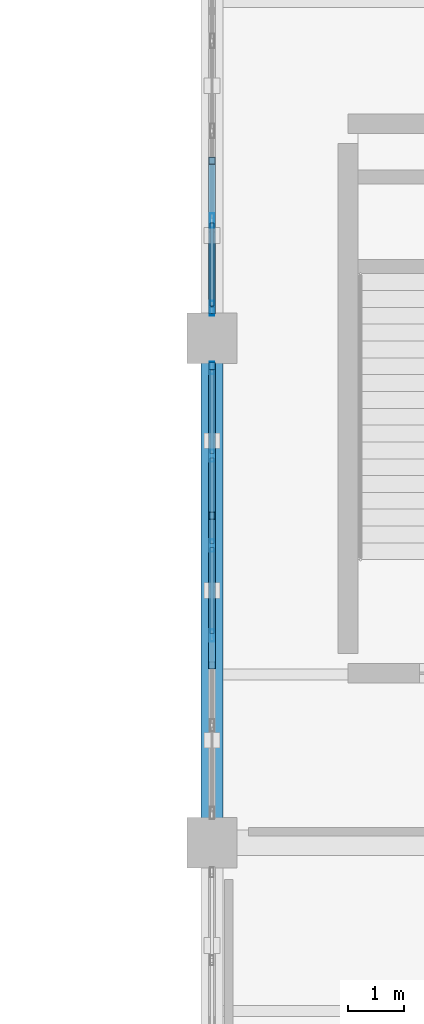
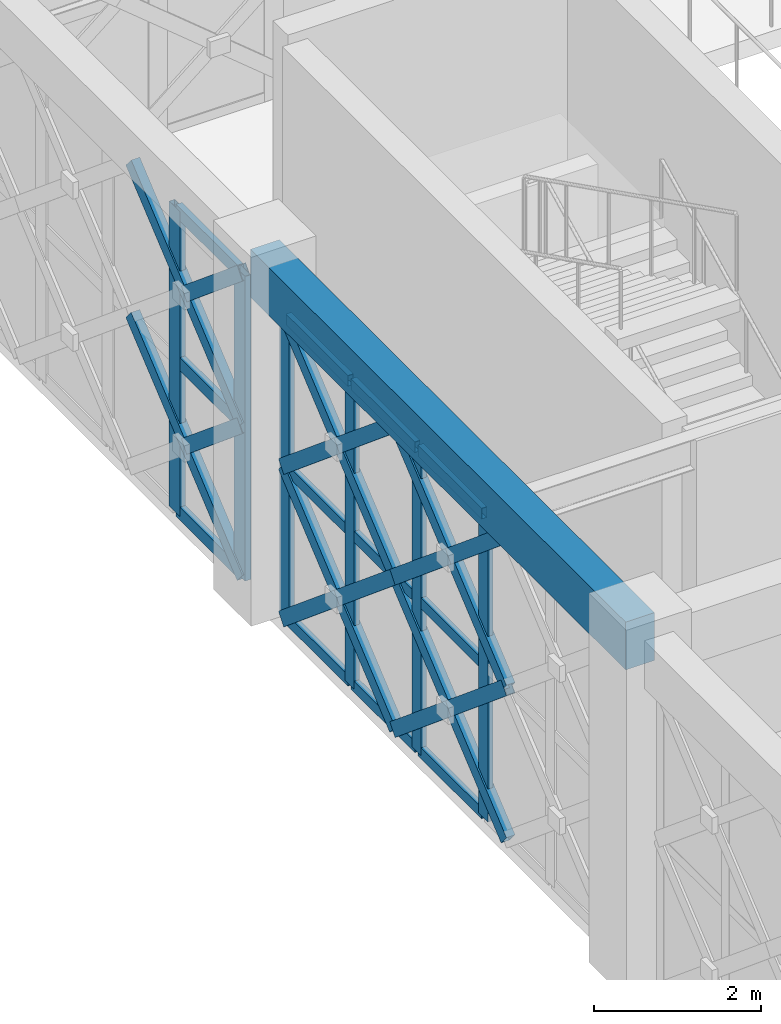
# One storey, part 56 of 155: 34 members, 1 beam, 2 elements without a shape of their own.
"""IFC4 building model written with IfcOpenShell, lengths in metres."""

from ifc_helpers import new_model, si_unit, direction, frame, origin, origin_2d, place, context, subcontext, project, spatial, rectangle, hollow_rectangle, extrude, material, material_profile, profile_set, type_object, element, aggregate, save


model = new_model("IFC4")

# Units and contexts
model_context = context("Model", 3, precision=1e-05, world=origin(), true_north=direction((0.0, 1.0)))
body_context = subcontext(model_context, "Body", "Model", "MODEL_VIEW")
ifc_project = project(units=[si_unit("LENGTHUNIT", "METRE"), si_unit("AREAUNIT", "SQUARE_METRE"), si_unit("VOLUMEUNIT", "CUBIC_METRE"), si_unit("PLANEANGLEUNIT", "RADIAN"), si_unit("MASSUNIT", "GRAM", prefix="KILO")], contexts=[model_context])

# Site, building, storey
site_placement = place(None, origin())
site = spatial("IfcSite", under=ifc_project, at=site_placement, CompositionType="ELEMENT")
building_placement = place(site_placement, origin())
building = spatial("IfcBuilding", under=site, at=building_placement, Name="Haizhuo Lancet Aquarium", CompositionType="ELEMENT")
storey_placement = place(building_placement, frame((0.0, 0.0, 10.800048828125)))
storey = spatial("IfcBuildingStorey", under=building, at=storey_placement, Name="L02", CompositionType="ELEMENT", Elevation=10.800048828125)

# Beam
ifc_material_1 = material(Name="Concrete C40/50", Category="concrete")
ifc_material_profile_1 = material_profile(ifc_material_1, rectangle(XDim=0.39990234375, YDim=0.699951171875, at=origin_2d()), Name="RC-BM 400x700")
ifc_profile_set_1 = profile_set([ifc_material_profile_1], Name="Concrete C40/50")
beam_type = type_object("IfcBeamType", Name="BM-RC-400x700", PredefinedType="BEAM", material=ifc_profile_set_1)
beam_placement = place(storey_placement, frame((27.0, -27.0, 4.81005859375), z_axis=(0.0, 1.0, 0.0), x_axis=(-1.0, 0.0, 0.0)))
element("IfcBeam", 1, at=beam_placement, inside=storey, type_object=beam_type, Name="L02 V3 primary girder BM-L02-V3-003", PredefinedType="BEAM", context=body_context, shape_type="SweptSolid", body=[
    extrude(rectangle(XDim=0.39990234375, YDim=0.699951171875, at=origin_2d()), origin(), (0.0, 0.0, 1.0), 9.0),
])

# Curtain wall, members
ifc_material_2 = material(Name="Aluminium 6063-T6", Category="aluminium")
curtain_wall_type = type_object("IfcCurtainWallType", Name="CWO-8010x4460", PredefinedType="NOTDEFINED", material=ifc_material_2)
curtain_wall_1_placement = place(storey_placement, origin())
curtain_wall_1 = element("IfcCurtainWall", 2, at=curtain_wall_1_placement, inside=storey, type_object=curtain_wall_type, Name="L02 curtain wall CW-V3-L02-065", PredefinedType="NOTDEFINED")
ifc_material_profile_2 = material_profile(ifc_material_2, hollow_rectangle(XDim=0.074951171875, YDim=0.219970703125, WallThickness=0.0048828125, at=origin_2d()), Name="ALU-M 75x220x5")
ifc_profile_set_2 = profile_set([ifc_material_profile_2], Name="Aluminium 6063-T6")
member_type_1 = type_object("IfcMemberType", Name="CW-MUL-2", PredefinedType="MULLION", material=ifc_profile_set_2)
member_1_placement = place(storey_placement, frame((27.0, -23.301025390625, 0.0), z_axis=(0.0, 0.0, 1.0), x_axis=(-1.0, 0.0, 0.0)))
member_1 = element("IfcMember", 3, at=member_1_placement, type_object=member_type_1, Name="CWO-80x44 mullion 3", PredefinedType="MULLION", context=body_context, shape_type="SweptSolid", body=[
    extrude(hollow_rectangle(XDim=0.074951171875, YDim=0.219970703125, WallThickness=0.0048828125, at=origin_2d()), origin(), (0.0, 0.0, 1.0), 4.4599609375),
])
member_2_placement = place(storey_placement, frame((27.0, -21.698974609375, 0.0), z_axis=(0.0, 0.0, 1.0), x_axis=(-1.0, 0.0, 0.0)))
member_2 = element("IfcMember", 4, at=member_2_placement, type_object=member_type_1, Name="CWO-80x44 mullion 4", PredefinedType="MULLION", context=body_context, shape_type="SweptSolid", body=[
    extrude(hollow_rectangle(XDim=0.074951171875, YDim=0.219970703125, WallThickness=0.0048828125, at=origin_2d()), origin(), (0.0, 0.0, 1.0), 4.4599609375),
])
member_3_placement = place(storey_placement, frame((27.0, -20.096923828125, 0.0), z_axis=(0.0, 0.0, 1.0), x_axis=(-1.0, 0.0, 0.0)))
member_3 = element("IfcMember", 5, at=member_3_placement, type_object=member_type_1, Name="CWO-80x44 mullion 5", PredefinedType="MULLION", context=body_context, shape_type="SweptSolid", body=[
    extrude(hollow_rectangle(XDim=0.074951171875, YDim=0.219970703125, WallThickness=0.0048828125, at=origin_2d()), origin(), (0.0, 0.0, 1.0), 4.4599609375),
])
member_4_placement = place(storey_placement, frame((27.0, -18.531982421875, 0.0), z_axis=(0.0, 0.0, 1.0), x_axis=(-1.0, 0.0, 0.0)))
member_4 = element("IfcMember", 6, at=member_4_placement, type_object=member_type_1, Name="CWO-80x44 mullion 6", PredefinedType="MULLION", context=body_context, shape_type="SweptSolid", body=[
    extrude(hollow_rectangle(XDim=0.074951171875, YDim=0.219970703125, WallThickness=0.0048828125, at=origin_2d()), origin(), (0.0, 0.0, 1.0), 4.4599609375),
])

curtain_wall_2_placement = place(storey_placement, origin())
curtain_wall_2 = element("IfcCurtainWall", 7, at=curtain_wall_2_placement, inside=storey, type_object=curtain_wall_type, Name="L02 curtain wall CW-V3-L02-066", PredefinedType="NOTDEFINED")
ifc_material_profile_3 = material_profile(ifc_material_2, hollow_rectangle(XDim=0.080078125, YDim=0.260009765625, WallThickness=0.0048828125, at=origin_2d()), Name="ALU-M 80x260x5")
ifc_profile_set_3 = profile_set([ifc_material_profile_3], Name="Aluminium 6063-T6")
member_type_2 = type_object("IfcMemberType", Name="CW-MUL-3", PredefinedType="MULLION", material=ifc_profile_set_3)
member_5_placement = place(storey_placement, frame((27.0, -17.465087890625, 0.0), z_axis=(0.0, 0.0, 1.0), x_axis=(-1.0, 0.0, 0.0)))
member_5 = element("IfcMember", 8, at=member_5_placement, type_object=member_type_2, Name="CWO-80x44 mullion 1", PredefinedType="MULLION", context=body_context, shape_type="SweptSolid", body=[
    extrude(hollow_rectangle(XDim=0.080078125, YDim=0.260009765625, WallThickness=0.0048828125, at=origin_2d()), origin(), (0.0, 0.0, 1.0), 4.4599609375),
])
member_6_placement = place(storey_placement, frame((27.0, -15.903076171875, 0.0), z_axis=(0.0, 0.0, 1.0), x_axis=(-1.0, 0.0, 0.0)))
member_6 = element("IfcMember", 9, at=member_6_placement, type_object=member_type_2, Name="CWO-80x44 mullion 2", PredefinedType="MULLION", context=body_context, shape_type="SweptSolid", body=[
    extrude(hollow_rectangle(XDim=0.080078125, YDim=0.260009765625, WallThickness=0.0048828125, at=origin_2d()), origin(), (0.0, 0.0, 1.0), 4.4599609375),
])

# Member
ifc_material_profile_4 = material_profile(ifc_material_2, hollow_rectangle(XDim=0.074951171875, YDim=0.159912109375, WallThickness=0.00390625, at=origin_2d()), Name="ALU-T 75x160x4")
ifc_profile_set_4 = profile_set([ifc_material_profile_4], Name="Aluminium 6063-T6")
member_type_3 = type_object("IfcMemberType", Name="CW-TRN-2", PredefinedType="NOTDEFINED", material=ifc_profile_set_4)
member_7_placement = place(storey_placement, frame((27.0, -23.263916015625, 0.037841796875), z_axis=(0.0, 1.0, 0.0), x_axis=(-1.0, 0.0, 0.0)))
member_7 = element("IfcMember", 10, at=member_7_placement, type_object=member_type_3, Name="CWO-80x44 transom 3.1", ObjectType="TRANSOM", PredefinedType="USERDEFINED", context=body_context, shape_type="SweptSolid", body=[
    extrude(hollow_rectangle(XDim=0.074951171875, YDim=0.159912109375, WallThickness=0.00390625, at=origin_2d()), origin(), (0.0, 0.0, 1.0), 1.52783203125),
])

member_8_placement = place(storey_placement, frame((27.0, -23.263916015625, 2.22998046875), z_axis=(0.0, 1.0, 0.0), x_axis=(-1.0, 0.0, 0.0)))
member_8 = element("IfcMember", 11, at=member_8_placement, type_object=member_type_3, Name="CWO-80x44 transom 3.2", ObjectType="TRANSOM", PredefinedType="USERDEFINED", context=body_context, shape_type="SweptSolid", body=[
    extrude(hollow_rectangle(XDim=0.074951171875, YDim=0.159912109375, WallThickness=0.00390625, at=origin_2d()), origin(), (0.0, 0.0, 1.0), 1.52783203125),
])

member_9_placement = place(storey_placement, frame((27.0, -23.263916015625, 4.4228515625), z_axis=(0.0, 1.0, 0.0), x_axis=(-1.0, 0.0, 0.0)))
member_9 = element("IfcMember", 12, at=member_9_placement, type_object=member_type_3, Name="CWO-80x44 transom 3.3", ObjectType="TRANSOM", PredefinedType="USERDEFINED", context=body_context, shape_type="SweptSolid", body=[
    extrude(hollow_rectangle(XDim=0.074951171875, YDim=0.159912109375, WallThickness=0.00390625, at=origin_2d()), origin(), (0.0, 0.0, 1.0), 1.52783203125),
])

member_10_placement = place(storey_placement, frame((27.0, -21.662109375, 0.037841796875), z_axis=(0.0, 1.0, 0.0), x_axis=(-1.0, 0.0, 0.0)))
member_10 = element("IfcMember", 13, at=member_10_placement, type_object=member_type_3, Name="CWO-80x44 transom 4.1", ObjectType="TRANSOM", PredefinedType="USERDEFINED", context=body_context, shape_type="SweptSolid", body=[
    extrude(hollow_rectangle(XDim=0.074951171875, YDim=0.159912109375, WallThickness=0.00390625, at=origin_2d()), origin(), (0.0, 0.0, 1.0), 1.528076171875),
])

member_11_placement = place(storey_placement, frame((27.0, -21.662109375, 2.22998046875), z_axis=(0.0, 1.0, 0.0), x_axis=(-1.0, 0.0, 0.0)))
member_11 = element("IfcMember", 14, at=member_11_placement, type_object=member_type_3, Name="CWO-80x44 transom 4.2", ObjectType="TRANSOM", PredefinedType="USERDEFINED", context=body_context, shape_type="SweptSolid", body=[
    extrude(hollow_rectangle(XDim=0.074951171875, YDim=0.159912109375, WallThickness=0.00390625, at=origin_2d()), origin(), (0.0, 0.0, 1.0), 1.528076171875),
])

member_12_placement = place(storey_placement, frame((27.0, -21.662109375, 4.4228515625), z_axis=(0.0, 1.0, 0.0), x_axis=(-1.0, 0.0, 0.0)))
member_12 = element("IfcMember", 15, at=member_12_placement, type_object=member_type_3, Name="CWO-80x44 transom 4.3", ObjectType="TRANSOM", PredefinedType="USERDEFINED", context=body_context, shape_type="SweptSolid", body=[
    extrude(hollow_rectangle(XDim=0.074951171875, YDim=0.159912109375, WallThickness=0.00390625, at=origin_2d()), origin(), (0.0, 0.0, 1.0), 1.528076171875),
])

member_13_placement = place(storey_placement, frame((27.0, -20.05908203125, 0.037841796875), z_axis=(0.0, 1.0, 0.0), x_axis=(-1.0, 0.0, 0.0)))
member_13 = element("IfcMember", 16, at=member_13_placement, type_object=member_type_3, Name="CWO-80x44 transom 5.1", ObjectType="TRANSOM", PredefinedType="USERDEFINED", context=body_context, shape_type="SweptSolid", body=[
    extrude(hollow_rectangle(XDim=0.074951171875, YDim=0.159912109375, WallThickness=0.00390625, at=origin_2d()), origin(), (0.0, 0.0, 1.0), 1.489013671875),
])

member_14_placement = place(storey_placement, frame((27.0, -20.05908203125, 2.22998046875), z_axis=(0.0, 1.0, 0.0), x_axis=(-1.0, 0.0, 0.0)))
member_14 = element("IfcMember", 17, at=member_14_placement, type_object=member_type_3, Name="CWO-80x44 transom 5.2", ObjectType="TRANSOM", PredefinedType="USERDEFINED", context=body_context, shape_type="SweptSolid", body=[
    extrude(hollow_rectangle(XDim=0.074951171875, YDim=0.159912109375, WallThickness=0.00390625, at=origin_2d()), origin(), (0.0, 0.0, 1.0), 1.489013671875),
])

member_15_placement = place(storey_placement, frame((27.0, -20.05908203125, 4.4228515625), z_axis=(0.0, 1.0, 0.0), x_axis=(-1.0, 0.0, 0.0)))
member_15 = element("IfcMember", 18, at=member_15_placement, type_object=member_type_3, Name="CWO-80x44 transom 5.3", ObjectType="TRANSOM", PredefinedType="USERDEFINED", context=body_context, shape_type="SweptSolid", body=[
    extrude(hollow_rectangle(XDim=0.074951171875, YDim=0.159912109375, WallThickness=0.00390625, at=origin_2d()), origin(), (0.0, 0.0, 1.0), 1.489013671875),
])

aggregate(curtain_wall_1, [member_1, member_2, member_3, member_4, member_7, member_8, member_9, member_10, member_11, member_12, member_13, member_14, member_15])

ifc_material_profile_5 = material_profile(ifc_material_2, hollow_rectangle(XDim=0.080078125, YDim=0.18994140625, WallThickness=0.0048828125, at=origin_2d()), Name="ALU-T 80x190x5")
ifc_profile_set_5 = profile_set([ifc_material_profile_5], Name="Aluminium 6063-T6")
member_type_4 = type_object("IfcMemberType", Name="CW-TRN-3", PredefinedType="NOTDEFINED", material=ifc_profile_set_5)
member_16_placement = place(storey_placement, frame((27.0, -17.425048828125, 0.0400390625), z_axis=(0.0, 1.0, 0.0), x_axis=(-1.0, 0.0, 0.0)))
member_16 = element("IfcMember", 19, at=member_16_placement, type_object=member_type_4, Name="CWO-80x44 transom 1.1", ObjectType="TRANSOM", PredefinedType="USERDEFINED", context=body_context, shape_type="SweptSolid", body=[
    extrude(hollow_rectangle(XDim=0.080078125, YDim=0.18994140625, WallThickness=0.0048828125, at=origin_2d()), origin(), (0.0, 0.0, 1.0), 1.48193359375),
])

member_17_placement = place(storey_placement, frame((27.0, -17.425048828125, 2.22998046875), z_axis=(0.0, 1.0, 0.0), x_axis=(-1.0, 0.0, 0.0)))
member_17 = element("IfcMember", 20, at=member_17_placement, type_object=member_type_4, Name="CWO-80x44 transom 1.2", ObjectType="TRANSOM", PredefinedType="USERDEFINED", context=body_context, shape_type="SweptSolid", body=[
    extrude(hollow_rectangle(XDim=0.080078125, YDim=0.18994140625, WallThickness=0.0048828125, at=origin_2d()), origin(), (0.0, 0.0, 1.0), 1.48193359375),
])

member_18_placement = place(storey_placement, frame((27.0, -17.425048828125, 4.419921875), z_axis=(0.0, 1.0, 0.0), x_axis=(-1.0, 0.0, 0.0)))
member_18 = element("IfcMember", 21, at=member_18_placement, type_object=member_type_4, Name="CWO-80x44 transom 1.3", ObjectType="TRANSOM", PredefinedType="USERDEFINED", context=body_context, shape_type="SweptSolid", body=[
    extrude(hollow_rectangle(XDim=0.080078125, YDim=0.18994140625, WallThickness=0.0048828125, at=origin_2d()), origin(), (0.0, 0.0, 1.0), 1.48193359375),
])

aggregate(curtain_wall_2, [member_5, member_6, member_16, member_17, member_18])

# Members
ifc_material_3 = material(Name="Steel S355", Category="steel")
ifc_material_profile_6 = material_profile(ifc_material_3, hollow_rectangle(XDim=0.1201171875, YDim=0.199951171875, WallThickness=0.008056640625, at=origin_2d()), Name="RHS 120x200x8")
ifc_profile_set_6 = profile_set([ifc_material_profile_6], Name="Steel S355")
member_type_5 = type_object("IfcMemberType", Name="MEM-LB-RHS120x200", PredefinedType="BRACE", material=ifc_profile_set_6)
member_19_placement = place(storey_placement, frame((27.0, -23.8349609375, 0.0), z_axis=(0.0, 0.767507480131, 0.641039989348), x_axis=(-1.0, 0.0, 0.0)))
element("IfcMember", 22, at=member_19_placement, inside=storey, type_object=member_type_5, Name="Gothic lancet continuous diagonal brace CW-V3-L02-065 3A", PredefinedType="BRACE", context=body_context, shape_type="SweptSolid", body=[
    extrude(hollow_rectangle(XDim=0.1201171875, YDim=0.199951171875, WallThickness=0.008056640625, at=origin_2d()), origin(), (0.0, 0.0, 1.0), 3.478759765625),
])
for number, where, z_axis, x_axis, name in (
    (23, (27.0, -21.1650390625, 0.0), (0.0, -0.767507480131, 0.641039989348), (1.0, 0.0, 0.0), "Gothic lancet split diagonal brace CW-V3-L02-065 3B1"),
    (24, (27.0, -22.5, 1.114990234375), (0.0, -0.767507480131, 0.641039989348), (1.0, 0.0, 0.0), "Gothic lancet split diagonal brace CW-V3-L02-065 3B2"),
):
    element("IfcMember", number, at=place(storey_placement, frame(where, z_axis=z_axis, x_axis=x_axis)), inside=storey, type_object=member_type_5, Name=name, PredefinedType="BRACE", context=body_context, shape_type="SweptSolid", body=[
        extrude(hollow_rectangle(XDim=0.1201171875, YDim=0.199951171875, WallThickness=0.008056640625, at=origin_2d()), origin(), (0.0, 0.0, 1.0), 1.7392578125),
    ])
member_20_placement = place(storey_placement, frame((27.0, -23.8349609375, 2.22998046875), z_axis=(0.0, 0.767507480131, 0.641039989348), x_axis=(-1.0, 0.0, 0.0)))
element("IfcMember", 25, at=member_20_placement, inside=storey, type_object=member_type_5, Name="Gothic lancet continuous diagonal brace CW-V3-L02-065 4A", PredefinedType="BRACE", context=body_context, shape_type="SweptSolid", body=[
    extrude(hollow_rectangle(XDim=0.1201171875, YDim=0.199951171875, WallThickness=0.008056640625, at=origin_2d()), origin(), (0.0, 0.0, 1.0), 3.478759765625),
])
for number, where, z_axis, x_axis, name in (
    (26, (27.0, -21.1650390625, 2.22998046875), (0.0, -0.767507480131, 0.641039989348), (1.0, 0.0, 0.0), "Gothic lancet split diagonal brace CW-V3-L02-065 4B1"),
    (27, (27.0, -22.5, 3.344970703125), (0.0, -0.767507480131, 0.641039989348), (1.0, 0.0, 0.0), "Gothic lancet split diagonal brace CW-V3-L02-065 4B2"),
):
    element("IfcMember", number, at=place(storey_placement, frame(where, z_axis=z_axis, x_axis=x_axis)), inside=storey, type_object=member_type_5, Name=name, PredefinedType="BRACE", context=body_context, shape_type="SweptSolid", body=[
        extrude(hollow_rectangle(XDim=0.1201171875, YDim=0.199951171875, WallThickness=0.008056640625, at=origin_2d()), origin(), (0.0, 0.0, 1.0), 1.7392578125),
    ])
member_21_placement = place(storey_placement, frame((27.0, -21.1650390625, 0.0), z_axis=(0.0, 0.767507480131, 0.641039989348), x_axis=(-1.0, 0.0, 0.0)))
element("IfcMember", 28, at=member_21_placement, inside=storey, type_object=member_type_5, Name="Gothic lancet continuous diagonal brace CW-V3-L02-065 5A", PredefinedType="BRACE", context=body_context, shape_type="SweptSolid", body=[
    extrude(hollow_rectangle(XDim=0.1201171875, YDim=0.199951171875, WallThickness=0.008056640625, at=origin_2d()), origin(), (0.0, 0.0, 1.0), 3.478759765625),
])
for number, where, z_axis, x_axis, name in (
    (29, (27.0, -18.4951171875, 0.0), (0.0, -0.767507480131, 0.641039989348), (1.0, 0.0, 0.0), "Gothic lancet split diagonal brace CW-V3-L02-065 5B1"),
    (30, (27.0, -19.830078125, 1.114990234375), (0.0, -0.767507480131, 0.641039989348), (1.0, 0.0, 0.0), "Gothic lancet split diagonal brace CW-V3-L02-065 5B2"),
):
    element("IfcMember", number, at=place(storey_placement, frame(where, z_axis=z_axis, x_axis=x_axis)), inside=storey, type_object=member_type_5, Name=name, PredefinedType="BRACE", context=body_context, shape_type="SweptSolid", body=[
        extrude(hollow_rectangle(XDim=0.1201171875, YDim=0.199951171875, WallThickness=0.008056640625, at=origin_2d()), origin(), (0.0, 0.0, 1.0), 1.7392578125),
    ])
member_22_placement = place(storey_placement, frame((27.0, -21.1650390625, 2.22998046875), z_axis=(0.0, 0.767507480131, 0.641039989348), x_axis=(-1.0, 0.0, 0.0)))
element("IfcMember", 31, at=member_22_placement, inside=storey, type_object=member_type_5, Name="Gothic lancet continuous diagonal brace CW-V3-L02-065 6A", PredefinedType="BRACE", context=body_context, shape_type="SweptSolid", body=[
    extrude(hollow_rectangle(XDim=0.1201171875, YDim=0.199951171875, WallThickness=0.008056640625, at=origin_2d()), origin(), (0.0, 0.0, 1.0), 3.478759765625),
])
for number, where, z_axis, x_axis, name in (
    (32, (27.0, -18.4951171875, 2.22998046875), (0.0, -0.767507480131, 0.641039989348), (1.0, 0.0, 0.0), "Gothic lancet split diagonal brace CW-V3-L02-065 6B1"),
    (33, (27.0, -19.830078125, 3.344970703125), (0.0, -0.767507480131, 0.641039989348), (1.0, 0.0, 0.0), "Gothic lancet split diagonal brace CW-V3-L02-065 6B2"),
):
    element("IfcMember", number, at=place(storey_placement, frame(where, z_axis=z_axis, x_axis=x_axis)), inside=storey, type_object=member_type_5, Name=name, PredefinedType="BRACE", context=body_context, shape_type="SweptSolid", body=[
        extrude(hollow_rectangle(XDim=0.1201171875, YDim=0.199951171875, WallThickness=0.008056640625, at=origin_2d()), origin(), (0.0, 0.0, 1.0), 1.7392578125),
    ])
member_23_placement = place(storey_placement, frame((27.0, -17.5048828125, 0.0), z_axis=(0.0, 0.767507480131, 0.641039989348), x_axis=(-1.0, 0.0, 0.0)))
element("IfcMember", 34, at=member_23_placement, inside=storey, type_object=member_type_5, Name="Gothic lancet continuous diagonal brace CW-V3-L02-066 1A", PredefinedType="BRACE", context=body_context, shape_type="SweptSolid", body=[
    extrude(hollow_rectangle(XDim=0.1201171875, YDim=0.199951171875, WallThickness=0.008056640625, at=origin_2d()), origin(), (0.0, 0.0, 1.0), 3.478759765625),
])
member_24_placement = place(storey_placement, frame((27.0, -16.169921875, 1.114990234375), z_axis=(0.0, -0.767507480131, 0.641039989348), x_axis=(1.0, 0.0, 0.0)))
element("IfcMember", 35, at=member_24_placement, inside=storey, type_object=member_type_5, Name="Gothic lancet split diagonal brace CW-V3-L02-066 1B2", PredefinedType="BRACE", context=body_context, shape_type="SweptSolid", body=[
    extrude(hollow_rectangle(XDim=0.1201171875, YDim=0.199951171875, WallThickness=0.008056640625, at=origin_2d()), origin(), (0.0, 0.0, 1.0), 1.7392578125),
])
member_25_placement = place(storey_placement, frame((27.0, -17.5048828125, 2.22998046875), z_axis=(0.0, 0.767507480131, 0.641039989348), x_axis=(-1.0, 0.0, 0.0)))
element("IfcMember", 36, at=member_25_placement, inside=storey, type_object=member_type_5, Name="Gothic lancet continuous diagonal brace CW-V3-L02-066 2A", PredefinedType="BRACE", context=body_context, shape_type="SweptSolid", body=[
    extrude(hollow_rectangle(XDim=0.1201171875, YDim=0.199951171875, WallThickness=0.008056640625, at=origin_2d()), origin(), (0.0, 0.0, 1.0), 3.478759765625),
])
member_26_placement = place(storey_placement, frame((27.0, -16.169921875, 3.344970703125), z_axis=(0.0, -0.767507480131, 0.641039989348), x_axis=(1.0, 0.0, 0.0)))
element("IfcMember", 37, at=member_26_placement, inside=storey, type_object=member_type_5, Name="Gothic lancet split diagonal brace CW-V3-L02-066 2B2", PredefinedType="BRACE", context=body_context, shape_type="SweptSolid", body=[
    extrude(hollow_rectangle(XDim=0.1201171875, YDim=0.199951171875, WallThickness=0.008056640625, at=origin_2d()), origin(), (0.0, 0.0, 1.0), 1.7392578125),
])

save(model, "model.ifc")
